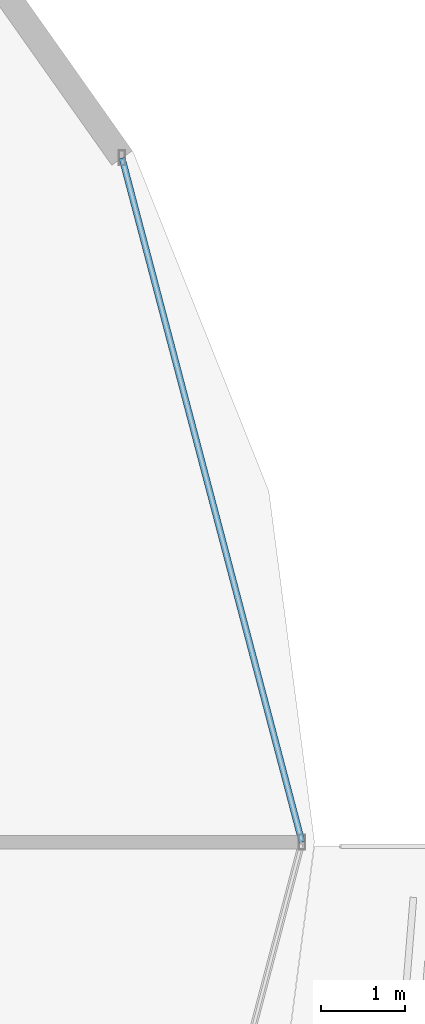
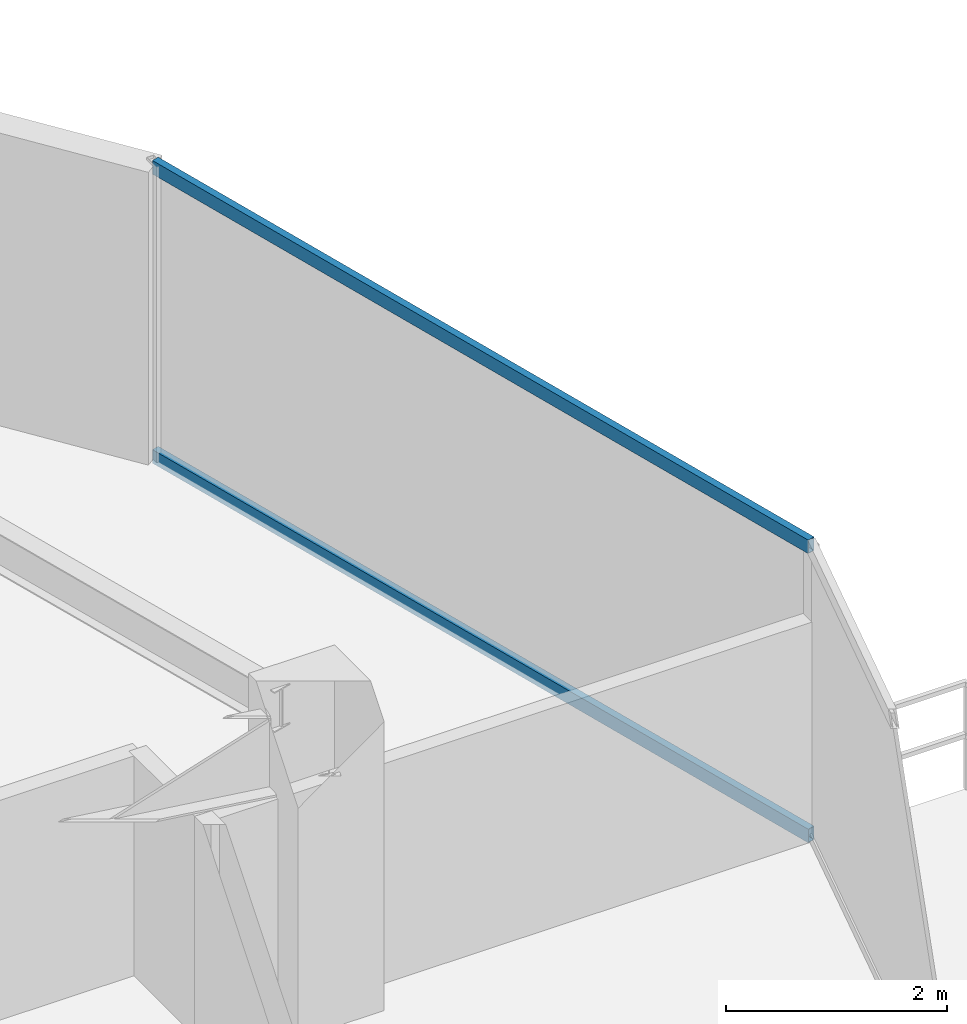
# One storey, part 17 of 33: 2 members, 1 element without a shape of its own.
"""IFC4 building model written with IfcOpenShell, lengths in metres."""

from ifc_helpers import new_model, si_unit, direction, frame, origin, origin_2d, place, context, subcontext, project, spatial, hollow_rectangle, extrude, material, material_profile, profile_set, type_object, element, aggregate, save


model = new_model("IFC4")

# Units and contexts
model_context = context("Model", 3, precision=1e-05, world=origin(), true_north=direction((0.0, 1.0)))
body_context = subcontext(model_context, "Body", "Model", "MODEL_VIEW")
ifc_project = project(units=[si_unit("LENGTHUNIT", "METRE"), si_unit("AREAUNIT", "SQUARE_METRE"), si_unit("VOLUMEUNIT", "CUBIC_METRE"), si_unit("PLANEANGLEUNIT", "RADIAN"), si_unit("MASSUNIT", "GRAM", prefix="KILO")], contexts=[model_context])

# Site, building, storey
site_placement = place(None, origin())
site = spatial("IfcSite", under=ifc_project, at=site_placement, CompositionType="ELEMENT")
building_placement = place(site_placement, origin())
building = spatial("IfcBuilding", under=site, at=building_placement, Name="Vorneva Point Tower", CompositionType="ELEMENT")
storey_placement = place(building_placement, frame((0.0, 0.0, 196.60009765625)))
storey = spatial("IfcBuildingStorey", under=building, at=storey_placement, Name="L53", CompositionType="ELEMENT", Elevation=196.60009765625)

# Curtain wall, members
ifc_material = material(Name="Pale anodised aluminium", Category="aluminium")
curtain_wall_type = type_object("IfcCurtainWallType", Name="CW-RES-SYS", PredefinedType="NOTDEFINED", material=ifc_material)
curtain_wall_placement = place(storey_placement, origin())
curtain_wall = element("IfcCurtainWall", 1, at=curtain_wall_placement, inside=storey, type_object=curtain_wall_type, Name="L53 Unitised Curtain Wall CW-L53-R01", PredefinedType="NOTDEFINED")
ifc_material_profile = material_profile(ifc_material, hollow_rectangle(XDim=0.074951171875, YDim=0.14990234375, WallThickness=0.00390625, at=origin_2d()), Name="AL-TRN 150x75x4")
ifc_profile_set = profile_set([ifc_material_profile], Name="Pale anodised aluminium")
member_type = type_object("IfcMemberType", Name="CW-TRN-150", PredefinedType="USERDEFINED", material=ifc_profile_set)
member_1_placement = place(storey_placement, frame((66.22998046875, 26.0, 0.02001953125), z_axis=(-0.254362431281, 0.967108966742, 0.0), x_axis=(-0.967108966742, -0.254362431281, 0.0)))
member_1 = element("IfcMember", 2, at=member_1_placement, type_object=member_type, Name="CW-L53-R01 Transom 02.1", ObjectType="TRANSOM", PredefinedType="USERDEFINED", context=body_context, shape_type="SweptSolid", body=[
    extrude(hollow_rectangle(XDim=0.074951171875, YDim=0.14990234375, WallThickness=0.00390625, at=origin_2d()), origin(), (0.0, 0.0, 1.0), 8.4482421875),
])
member_2_placement = place(storey_placement, frame((66.22998046875, 26.0, 3.219970703125), z_axis=(-0.254362431281, 0.967108966742, 0.0), x_axis=(-0.967108966742, -0.254362431281, 0.0)))
member_2 = element("IfcMember", 3, at=member_2_placement, type_object=member_type, Name="CW-L53-R01 Transom 02.2", ObjectType="TRANSOM", PredefinedType="USERDEFINED", context=body_context, shape_type="SweptSolid", body=[
    extrude(hollow_rectangle(XDim=0.074951171875, YDim=0.14990234375, WallThickness=0.00390625, at=origin_2d()), origin(), (0.0, 0.0, 1.0), 8.4482421875),
])
aggregate(curtain_wall, [member_1, member_2])

save(model, "model.ifc")
